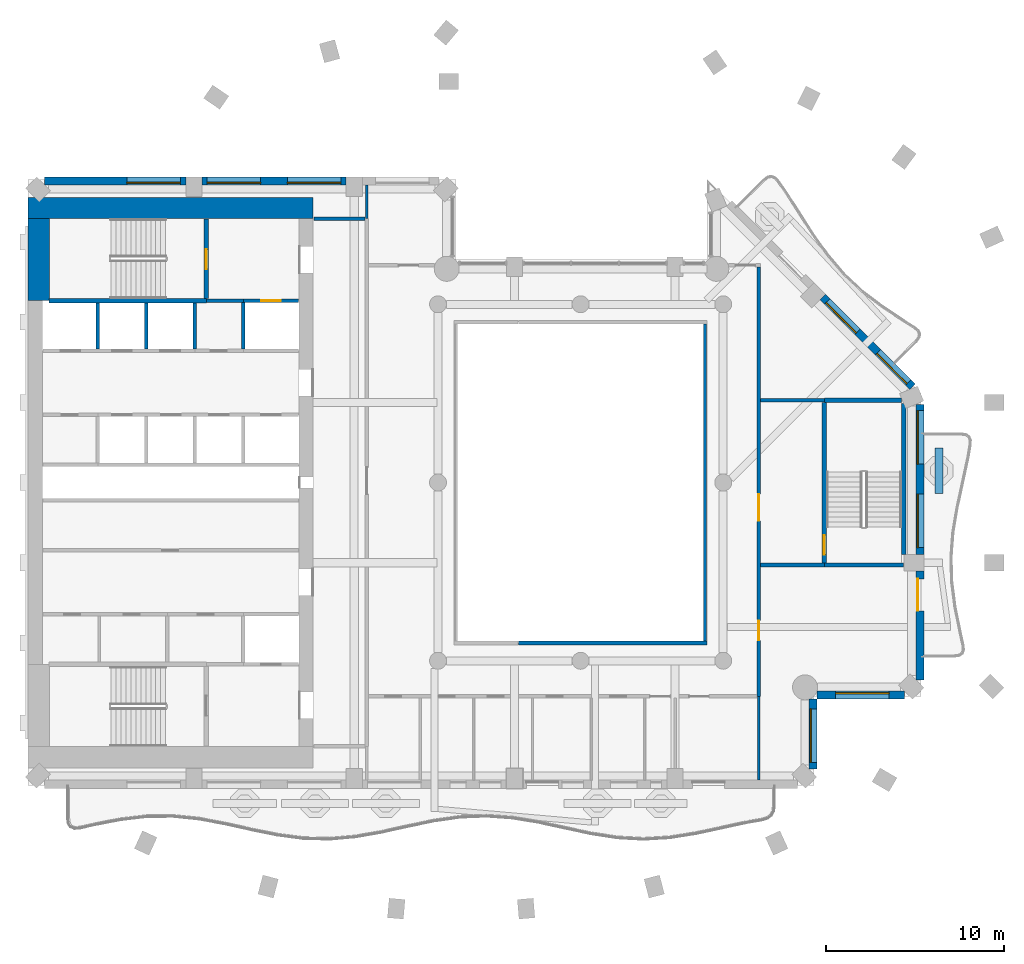
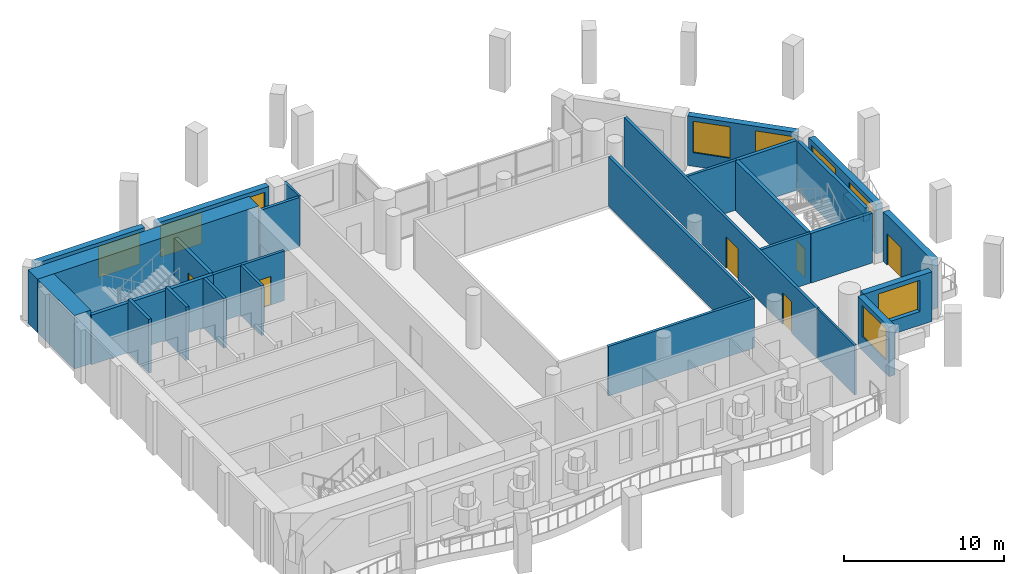
# One storey, part 6 of 15: 30 walls, 9 windows, 6 doors, 15 openings.
"""IFC4 building model written with IfcOpenShell, lengths in metres."""

import ifcopenshell
import ifcopenshell.guid

model = None  # the IFC model being written
_history = None  # IfcOwnerHistory: only IFC2X3 demands one
_inside = {}  # id of a spatial element -> (the spatial element, [elements in it])
_under = {}  # id of a project, library or spatial element -> (it, [spatial elements below it])
_declared = {}  # id of a project -> (the project, [libraries it declares])
_typed = {}  # id of a type object -> (the type object, [elements of that type])
_made_of = {}  # id of a material, layer set ... -> (it, [elements and type objects made of it])


def new_model(schema):
    """Start an empty IFC model of exactly this schema.

    Asked for "IFC4X3", IfcOpenShell would pick the latest addendum, in which some entities
    have other attributes; the version numbers below select the first issue.
    IFC2X3 requires an IfcOwnerHistory on every rooted entity: one is made here for all.
    """
    global model, _history
    if schema == "IFC4X3":
        model = ifcopenshell.file(schema_version=(4, 3, 0, 0))
    else:
        model = ifcopenshell.file(schema=schema)
    _inside.clear()
    _under.clear()
    _declared.clear()
    _typed.clear()
    _made_of.clear()
    _history = None
    if model.schema == "IFC2X3":
        org = make("IfcOrganization", Name="unknown")
        user = make(
            "IfcPersonAndOrganization",
            ThePerson=make("IfcPerson", FamilyName="unknown"),
            TheOrganization=org,
        )
        app = make(
            "IfcApplication",
            ApplicationDeveloper=org,
            Version="unknown",
            ApplicationFullName="unknown",
            ApplicationIdentifier="unknown",
        )
        _history = make(
            "IfcOwnerHistory",
            OwningUser=user,
            OwningApplication=app,
            ChangeAction="ADDED",
            CreationDate=0,
        )
    return model


def make(cls, **values):
    """One entity of the class cls with the attributes given. An attribute that is None is left unset."""
    return model.create_entity(
        cls, **{name: value for name, value in values.items() if value is not None}
    )


def rooted(cls, **values):
    """An entity with a GlobalId (a new one), such as an element, a storey or a relation."""
    return make(cls, GlobalId=ifcopenshell.guid.new(), OwnerHistory=_history, **values)


def si_unit(unit_type, name, prefix=None):
    """IfcSIUnit, for example si_unit("LENGTHUNIT", "METRE", prefix="MILLI")."""
    return make("IfcSIUnit", UnitType=unit_type, Prefix=prefix, Name=name)


def assignment(units):
    """IfcUnitAssignment: the units of a project."""
    return None if units is None else make("IfcUnitAssignment", Units=units)


def point(xyz):
    """IfcCartesianPoint."""
    return None if xyz is None else make("IfcCartesianPoint", Coordinates=xyz)


def direction(xyz):
    """IfcDirection."""
    return None if xyz is None else make("IfcDirection", DirectionRatios=xyz)


def frame(location, z_axis=None, x_axis=None):
    """IfcAxis2Placement3D, a coordinate frame: its origin and axes. An axis left out is left unset."""
    return make(
        "IfcAxis2Placement3D",
        Location=point(location),
        Axis=direction(z_axis),
        RefDirection=direction(x_axis),
    )


def frame_2d(location, x_axis=None):
    """IfcAxis2Placement2D, a coordinate frame in the plane: its origin and x axis."""
    return make(
        "IfcAxis2Placement2D", Location=point(location), RefDirection=direction(x_axis)
    )


def origin():
    """The frame at (0, 0, 0) with its axes left unset."""
    return frame((0.0, 0.0, 0.0))


def place(relative_to, where):
    """IfcLocalPlacement: puts the frame where relative to a parent placement (None: the world)."""
    return make(
        "IfcLocalPlacement", PlacementRelTo=relative_to, RelativePlacement=where
    )


def context(
    kind, dimensions, precision=None, world=None, true_north=None, identifier=None
):
    """IfcGeometricRepresentationContext, for example the 3D "Model" context."""
    return make(
        "IfcGeometricRepresentationContext",
        ContextIdentifier=identifier,
        ContextType=kind,
        CoordinateSpaceDimension=dimensions,
        Precision=precision,
        WorldCoordinateSystem=world,
        TrueNorth=true_north,
    )


def subcontext(parent, identifier, kind, view, scale=None):
    """IfcGeometricRepresentationSubContext, for example "Body" below "Model"."""
    return make(
        "IfcGeometricRepresentationSubContext",
        ContextIdentifier=identifier,
        ContextType=kind,
        ParentContext=parent,
        TargetScale=scale,
        TargetView=view,
    )


def project(units=None, contexts=None):
    """IfcProject with its units and contexts."""
    return rooted(
        "IfcProject",
        Name="project",
        RepresentationContexts=contexts,
        UnitsInContext=assignment(units),
    )


def spatial(cls, under=None, at=None, **own):
    """A site, building, storey or space (cls), placed at a placement, below another one or the project."""
    s = rooted(cls, ObjectPlacement=at, **own)
    if under is not None:
        _under.setdefault(under.id(), (under, []))[1].append(s)
    return s


def profile(cls, at=None, kind="AREA", **sizes):
    """A parametric profile (cls). Its sizes go by their IFC names, for example OverallWidth=200.0."""
    return make(cls, ProfileType=kind, Position=at, **sizes)


def rectangle(**sizes):
    """IfcRectangleProfileDef."""
    return profile("IfcRectangleProfileDef", **sizes)


def extrude(swept, where, along, depth):
    """IfcExtrudedAreaSolid: the profile swept, set in the frame where, extruded along a direction by depth."""
    return make(
        "IfcExtrudedAreaSolid",
        SweptArea=swept,
        Position=where,
        ExtrudedDirection=direction(along),
        Depth=depth,
    )


def shape(context_of_items, identifier, shape_type, items):
    """IfcShapeRepresentation: the items that make up one representation, for example the "Body"."""
    return make(
        "IfcShapeRepresentation",
        ContextOfItems=context_of_items,
        RepresentationIdentifier=identifier,
        RepresentationType=shape_type,
        Items=items,
    )


def material(Name=None, Category=None):
    """IfcMaterial."""
    return make("IfcMaterial", Name=Name, Category=Category)


def layer(
    of_material, thickness, ventilated=None, Name=None, Category=None, Priority=None
):
    """IfcMaterialLayer: one layer of a wall or slab, of a material (None: an air gap)."""
    return make(
        "IfcMaterialLayer",
        Material=of_material,
        LayerThickness=thickness,
        IsVentilated=ventilated,
        Name=Name,
        Category=Category,
        Priority=Priority,
    )


def layer_set(layers, Name=None):
    """IfcMaterialLayerSet."""
    return make("IfcMaterialLayerSet", MaterialLayers=layers, LayerSetName=Name)


def made_of(thing, what):
    """Note that an element or type object is made of a material, layer set ...; save() writes the relation."""
    if what is not None:
        _made_of.setdefault(what.id(), (what, []))[1].append(thing)
    return thing


def type_object(cls, material=None, **own):
    """A type object (cls), such as IfcWallType, which elements share."""
    return made_of(rooted(cls, **own), material)


def element(
    cls,
    number,
    at=None,
    inside=None,
    cuts=None,
    type_object=None,
    material=None,
    context=None,
    identifier="Body",
    shape_type=None,
    held_by="IfcProductDefinitionShape",
    body=None,
    shapes=None,
    **own,
):
    """One element of the class cls, such as IfcWall. Its Tag is "e" and its number.

    at: its placement. inside: the storey or other place that contains it. cuts: it is an
    opening in that element (IfcRelVoidsElement). A single representation is given by context,
    identifier, shape_type and body (its items); several are given by shapes. held_by: the class
    of the entity that holds the representations. save() writes the other relations.
    """
    e = rooted(cls, Tag="e%d" % number, ObjectPlacement=at, **own)
    if body is not None:
        shapes = [shape(context, identifier, shape_type, body)]
    if shapes is not None:
        e.Representation = make(held_by, Representations=shapes)
    if inside is not None:
        _inside.setdefault(inside.id(), (inside, []))[1].append(e)
    if cuts is not None:
        rooted(
            "IfcRelVoidsElement", RelatingBuildingElement=cuts, RelatedOpeningElement=e
        )
    if type_object is not None:
        _typed.setdefault(type_object.id(), (type_object, []))[1].append(e)
    return made_of(e, material)


def fill(opening, filler):
    """IfcRelFillsElement: the door or window that sits in an opening."""
    return rooted(
        "IfcRelFillsElement",
        RelatingOpeningElement=opening,
        RelatedBuildingElement=filler,
    )


def aggregate(whole, parts):
    """IfcRelAggregates: a whole, such as a stair, and the parts it consists of."""
    return rooted("IfcRelAggregates", RelatingObject=whole, RelatedObjects=parts)


def save(model, path):
    """Write the relations noted so far, then the file.

    IfcRelAggregates (storeys below a building ...), IfcRelContainedInSpatialStructure (elements
    in a storey), IfcRelDefinesByType, IfcRelAssociatesMaterial and IfcRelDeclares: one each for
    every whole, place, type object, material and project.
    """
    for whole, parts in _under.values():
        aggregate(whole, parts)
    for where, things in _inside.values():
        rooted(
            "IfcRelContainedInSpatialStructure",
            RelatedElements=things,
            RelatingStructure=where,
        )
    for kind, things in _typed.values():
        rooted("IfcRelDefinesByType", RelatedObjects=things, RelatingType=kind)
    for what, things in _made_of.values():
        rooted("IfcRelAssociatesMaterial", RelatedObjects=things, RelatingMaterial=what)
    for by, libraries in _declared.values():
        rooted("IfcRelDeclares", RelatingContext=by, RelatedDefinitions=libraries)
    model.write(path)


model = new_model("IFC4")

# Units and contexts
model_context = context("Model", 3, precision=1e-05, world=origin(), true_north=direction((0.0, 1.0)))
body_context = subcontext(model_context, "Body", "Model", "MODEL_VIEW")
ifc_project = project(units=[si_unit("LENGTHUNIT", "METRE"), si_unit("AREAUNIT", "SQUARE_METRE"), si_unit("VOLUMEUNIT", "CUBIC_METRE"), si_unit("PLANEANGLEUNIT", "RADIAN"), si_unit("MASSUNIT", "GRAM", prefix="KILO")], contexts=[model_context])

# Site, building, storey
site_placement = place(None, origin())
site = spatial("IfcSite", under=ifc_project, at=site_placement, CompositionType="ELEMENT")
building_placement = place(site_placement, origin())
building = spatial("IfcBuilding", under=site, at=building_placement, Name="Cypress Arch Tower", CompositionType="ELEMENT")
storey_placement = place(building_placement, frame((0.0, 0.0, 176.89990234375)))
storey = spatial("IfcBuildingStorey", under=building, at=storey_placement, Name="L38", CompositionType="ELEMENT", Elevation=176.89990234375)

# Wall
ifc_material_1 = material(Name="Concrete C40/50, waterproofed", Category="concrete")
ifc_layer_1 = layer(ifc_material_1, 0.449951171875)
ifc_layer_set_1 = layer_set([ifc_layer_1], Name="Balcony planter wall PW450")
wall_type_1 = type_object("IfcWallType", Name="Balcony planter wall PW450", PredefinedType="SOLIDWALL", material=ifc_layer_set_1)
wall_1_placement = place(storey_placement, frame((21.10009765625, -0.61669921875, 0.0), z_axis=(0.0, 0.0, 1.0), x_axis=(0.0, 1.0, 0.0)))
element("IfcWall", 1, at=wall_1_placement, inside=storey, type_object=wall_type_1, Name="Balcony planter wall L38-B04.1", PredefinedType="SOLIDWALL", context=body_context, shape_type="SweptSolid", body=[
    extrude(rectangle(XDim=2.566650390625, YDim=0.449951171875, at=frame_2d((1.283203125, 0.0))), origin(), (0.0, 0.0, 1.0), 0.60009765625),
])

# Wall, opening, window
ifc_material_2 = material(Name="Brick (red buff blend)", Category="masonry")
ifc_layer_2 = layer(ifc_material_2, 0.449951171875)
ifc_layer_set_2 = layer_set([ifc_layer_2], Name="Brick pier and spandrel wall BW450")
wall_type_2 = type_object("IfcWallType", Name="Brick pier and spandrel wall BW450", PredefinedType="SOLIDWALL", material=ifc_layer_set_2)
wall_2_placement = place(storey_placement, frame((14.02490234375, -16.063720703125, 0.0), z_axis=(0.0, 0.0, 1.0), x_axis=(0.0, 1.0, 0.0)))
wall_2 = element("IfcWall", 2, at=wall_2_placement, inside=storey, type_object=wall_type_2, Name="Brick wall L38 B02.0", PredefinedType="SOLIDWALL", context=body_context, shape_type="SweptSolid", body=[
    extrude(rectangle(XDim=3.9091796875, YDim=0.449951171875, at=frame_2d((1.95458984375, 0.0))), origin(), (0.0, 0.0, 1.0), 3.800048828125),
])
opening_1_placement = place(wall_2_placement, frame((0.363525390625, 0.0, 1.050048828125)))
opening_1 = element("IfcOpeningElement", 3, at=opening_1_placement, cuts=wall_2, Name="Opening W300O", PredefinedType="OPENING", context=body_context, shape_type="SweptSolid", body=[
    extrude(rectangle(XDim=3.0, YDim=2.39990234375, at=frame_2d((1.5, 1.199951171875))), frame((0.0, 0.23486328125, 0.0), z_axis=(0.0, -1.0, 0.0), x_axis=(1.0, 0.0, 0.0)), (0.0, 0.0, 1.0), 0.469970703125),
])
ifc_material_3 = material(Name="Anodised aluminium, bronze finish, clear low-emissivity double glazing", Category="aluminium")
window_type_1 = type_object("IfcWindowType", Name="Window Office 3000x2400", PartitioningType="SINGLE_PANEL", PredefinedType="WINDOW", material=ifc_material_3)
window_1_placement = place(opening_1_placement, origin())
window_1 = element("IfcWindow", 4, at=window_1_placement, inside=storey, type_object=window_type_1, Name="Window L38 B02.0.1", OverallHeight=2.39990234375, OverallWidth=3.0, PartitioningType="SINGLE_PANEL", PredefinedType="WINDOW", context=body_context, shape_type="SweptSolid", body=[
    extrude(rectangle(XDim=3.0, YDim=2.39990234375, at=frame_2d((1.5, 1.199951171875))), frame((0.0, 0.135009765625, 0.0), z_axis=(0.0, -1.0, 0.0), x_axis=(1.0, 0.0, 0.0)), (0.0, 0.0, 1.0), 0.06005859375),
])
fill(opening_1, window_1)

wall_3_placement = place(storey_placement, frame((14.254638671875, -11.925048828125, 0.0), z_axis=(0.0, 0.0, 1.0), x_axis=(1.0, 0.0, 0.0)))
wall_3 = element("IfcWall", 5, at=wall_3_placement, inside=storey, type_object=wall_type_2, Name="Brick wall L38 B03.0", PredefinedType="SOLIDWALL", context=body_context, shape_type="SweptSolid", body=[
    extrude(rectangle(XDim=4.908935546875, YDim=0.449951171875, at=frame_2d((2.45458984375, 0.0))), origin(), (0.0, 0.0, 1.0), 3.800048828125),
])
opening_2_placement = place(wall_3_placement, frame((1.04541015625, 0.0, 1.050048828125)))
opening_2 = element("IfcOpeningElement", 6, at=opening_2_placement, cuts=wall_3, Name="Opening W300O", PredefinedType="OPENING", context=body_context, shape_type="SweptSolid", body=[
    extrude(rectangle(XDim=3.0, YDim=2.39990234375, at=frame_2d((1.5, 1.199951171875))), frame((0.0, 0.23486328125, 0.0), z_axis=(0.0, -1.0, 0.0), x_axis=(1.0, 0.0, 0.0)), (0.0, 0.0, 1.0), 0.469970703125),
])
window_2_placement = place(opening_2_placement, origin())
window_2 = element("IfcWindow", 7, at=window_2_placement, inside=storey, type_object=window_type_1, Name="Window L38 B03.0.1", OverallHeight=2.39990234375, OverallWidth=3.0, PartitioningType="SINGLE_PANEL", PredefinedType="WINDOW", context=body_context, shape_type="SweptSolid", body=[
    extrude(rectangle(XDim=3.0, YDim=2.39990234375, at=frame_2d((1.5, 1.199951171875))), frame((0.0, 0.135009765625, 0.0), z_axis=(0.0, -1.0, 0.0), x_axis=(1.0, 0.0, 0.0)), (0.0, 0.0, 1.0), 0.06005859375),
])
fill(opening_2, window_2)

# Wall, opening, door
wall_4_placement = place(storey_placement, frame((20.02490234375, -11.063720703125, 0.0), z_axis=(0.0, 0.0, 1.0), x_axis=(0.0, 1.0, 0.0)))
wall_4 = element("IfcWall", 8, at=wall_4_placement, inside=storey, type_object=wall_type_2, Name="Brick wall L38 B04.0", PredefinedType="SOLIDWALL", context=body_context, shape_type="SweptSolid", body=[
    extrude(rectangle(XDim=6.11376953125, YDim=0.449951171875, at=frame_2d((3.056884765625, 0.0))), origin(), (0.0, 0.0, 1.0), 3.800048828125),
])
opening_3_placement = place(wall_4_placement, frame((3.863525390625, 0.0, 0.0)))
opening_3 = element("IfcOpeningElement", 9, at=opening_3_placement, cuts=wall_4, Name="Opening D-L38-B04.0.2", PredefinedType="OPENING", context=body_context, shape_type="SweptSolid", body=[
    extrude(rectangle(XDim=1.800048828125, YDim=2.39990234375, at=frame_2d((0.89990234375, 1.199951171875))), frame((0.0, 0.23486328125, 0.0), z_axis=(0.0, -1.0, 0.0), x_axis=(1.0, 0.0, 0.0)), (0.0, 0.0, 1.0), 0.469970703125),
])
ifc_material_4 = material(Name="Anodised aluminium, bronze finish, laminated low-emissivity double glazing, large-missile impact rated", Category="aluminium")
door_type_1 = type_object("IfcDoorType", Name="Balcony sliding door 1800x2400", OperationType="SLIDING_TO_LEFT", PredefinedType="DOOR", material=ifc_material_4)
door_1_placement = place(opening_3_placement, origin())
door_1 = element("IfcDoor", 10, at=door_1_placement, inside=storey, type_object=door_type_1, Name="Balcony door L38 B04.0.2", OperationType="SLIDING_TO_LEFT", OverallHeight=2.39990234375, OverallWidth=1.800048828125, PredefinedType="DOOR", context=body_context, shape_type="SweptSolid", body=[
    extrude(rectangle(XDim=1.800048828125, YDim=2.39990234375, at=frame_2d((0.89990234375, 1.199951171875))), frame((0.0, 0.1298828125, 0.0), z_axis=(0.0, -1.0, 0.0), x_axis=(1.0, 0.0, 0.0)), (0.0, 0.0, 1.0), 0.050048828125),
])
fill(opening_3, door_1)

# Wall, openings, windows
wall_5_placement = place(storey_placement, frame((20.02490234375, -4.050048828125, 0.0), z_axis=(0.0, 0.0, 1.0), x_axis=(0.0, 1.0, 0.0)))
wall_5 = element("IfcWall", 11, at=wall_5_placement, inside=storey, type_object=wall_type_2, Name="Brick wall L38 B04.1", PredefinedType="SOLIDWALL", context=body_context, shape_type="SweptSolid", body=[
    extrude(rectangle(XDim=8.438720703125, YDim=0.449951171875, at=frame_2d((4.21923828125, 0.0))), origin(), (0.0, 0.0, 1.0), 3.800048828125),
])
opening_4_placement = place(wall_5_placement, frame((0.39404296875, 0.0, 1.050048828125)))
opening_4 = element("IfcOpeningElement", 12, at=opening_4_placement, cuts=wall_5, Name="Opening W300OD", PredefinedType="OPENING", context=body_context, shape_type="SweptSolid", body=[
    extrude(rectangle(XDim=3.0, YDim=2.39990234375, at=frame_2d((1.5, 1.199951171875))), frame((0.0, 0.23486328125, 0.0), z_axis=(0.0, -1.0, 0.0), x_axis=(1.0, 0.0, 0.0)), (0.0, 0.0, 1.0), 0.469970703125),
])
opening_5_placement = place(wall_5_placement, frame((5.081787109375, 0.0, 1.050048828125)))
opening_5 = element("IfcOpeningElement", 13, at=opening_5_placement, cuts=wall_5, Name="Opening W300OD", PredefinedType="OPENING", context=body_context, shape_type="SweptSolid", body=[
    extrude(rectangle(XDim=3.0, YDim=2.39990234375, at=frame_2d((1.5, 1.199951171875))), frame((0.0, 0.23486328125, 0.0), z_axis=(0.0, -1.0, 0.0), x_axis=(1.0, 0.0, 0.0)), (0.0, 0.0, 1.0), 0.469970703125),
])
ifc_material_5 = material(Name="Anodised aluminium, bronze finish, laminated low-emissivity double glazing, large-missile impact rated", Category="aluminium")
window_type_2 = type_object("IfcWindowType", Name="Window Office 3000x2400 debris-rated", PartitioningType="SINGLE_PANEL", PredefinedType="WINDOW", material=ifc_material_5)
window_3_placement = place(opening_4_placement, origin())
window_3 = element("IfcWindow", 14, at=window_3_placement, inside=storey, type_object=window_type_2, Name="Window L38 B04.1.1", OverallHeight=2.39990234375, OverallWidth=3.0, PartitioningType="SINGLE_PANEL", PredefinedType="WINDOW", context=body_context, shape_type="SweptSolid", body=[
    extrude(rectangle(XDim=3.0, YDim=2.39990234375, at=frame_2d((1.5, 1.199951171875))), frame((0.0, 0.135009765625, 0.0), z_axis=(0.0, -1.0, 0.0), x_axis=(1.0, 0.0, 0.0)), (0.0, 0.0, 1.0), 0.06005859375),
])
fill(opening_4, window_3)
window_4_placement = place(opening_5_placement, origin())
window_4 = element("IfcWindow", 15, at=window_4_placement, inside=storey, type_object=window_type_2, Name="Window L38 B04.1.2", OverallHeight=2.39990234375, OverallWidth=3.0, PartitioningType="SINGLE_PANEL", PredefinedType="WINDOW", context=body_context, shape_type="SweptSolid", body=[
    extrude(rectangle(XDim=3.0, YDim=2.39990234375, at=frame_2d((1.5, 1.199951171875))), frame((0.0, 0.135009765625, 0.0), z_axis=(0.0, -1.0, 0.0), x_axis=(1.0, 0.0, 0.0)), (0.0, 0.0, 1.0), 0.06005859375),
])
fill(opening_5, window_4)

wall_6_placement = place(storey_placement, frame((19.61474609375, 5.379150390625, 0.0), z_axis=(0.0, 0.0, 1.0), x_axis=(-0.707089646058, 0.7071239159, 0.0)))
wall_6 = element("IfcWall", 16, at=wall_6_placement, inside=storey, type_object=wall_type_2, Name="Brick wall L38 B05.0", PredefinedType="SOLIDWALL", context=body_context, shape_type="SweptSolid", body=[
    extrude(rectangle(XDim=7.1240234375, YDim=0.449951171875, at=frame_2d((3.56201171875, 0.0))), origin(), (0.0, 0.0, 1.0), 3.800048828125),
])
opening_6_placement = place(wall_6_placement, frame((0.328125, 0.0, 1.050048828125)))
opening_6 = element("IfcOpeningElement", 17, at=opening_6_placement, cuts=wall_6, Name="Opening W240OD", PredefinedType="OPENING", context=body_context, shape_type="SweptSolid", body=[
    extrude(rectangle(XDim=2.39990234375, YDim=2.39990234375, at=frame_2d((1.199951171875, 1.199951171875))), frame((0.0, 0.23486328125, 0.0), z_axis=(0.0, -1.0, 0.0), x_axis=(1.0, 0.0, 0.0)), (0.0, 0.0, 1.0), 0.469970703125),
])
opening_7_placement = place(wall_6_placement, frame((4.358642578125, 0.0, 1.050048828125)))
opening_7 = element("IfcOpeningElement", 18, at=opening_7_placement, cuts=wall_6, Name="Opening W240OD", PredefinedType="OPENING", context=body_context, shape_type="SweptSolid", body=[
    extrude(rectangle(XDim=2.39990234375, YDim=2.39990234375, at=frame_2d((1.199951171875, 1.199951171875))), frame((0.0, 0.23486328125, 0.0), z_axis=(0.0, -1.0, 0.0), x_axis=(1.0, 0.0, 0.0)), (0.0, 0.0, 1.0), 0.469970703125),
])
ifc_material_6 = material(Name="Anodised aluminium, bronze finish, laminated low-emissivity double glazing, large-missile impact rated", Category="aluminium")
window_type_3 = type_object("IfcWindowType", Name="Window Office 2400x2400 debris-rated", PartitioningType="SINGLE_PANEL", PredefinedType="WINDOW", material=ifc_material_6)
window_5_placement = place(opening_6_placement, origin())
window_5 = element("IfcWindow", 19, at=window_5_placement, inside=storey, type_object=window_type_3, Name="Window L38 B05.0.1", OverallHeight=2.39990234375, OverallWidth=2.39990234375, PartitioningType="SINGLE_PANEL", PredefinedType="WINDOW", context=body_context, shape_type="SweptSolid", body=[
    extrude(rectangle(XDim=2.39990234375, YDim=2.39990234375, at=frame_2d((1.199951171875, 1.199951171875))), frame((0.0, 0.135009765625, 0.0), z_axis=(0.0, -1.0, 0.0), x_axis=(1.0, 0.0, 0.0)), (0.0, 0.0, 1.0), 0.06005859375),
])
fill(opening_6, window_5)
window_6_placement = place(opening_7_placement, origin())
window_6 = element("IfcWindow", 20, at=window_6_placement, inside=storey, type_object=window_type_3, Name="Window L38 B05.0.2", OverallHeight=2.39990234375, OverallWidth=2.39990234375, PartitioningType="SINGLE_PANEL", PredefinedType="WINDOW", context=body_context, shape_type="SweptSolid", body=[
    extrude(rectangle(XDim=2.39990234375, YDim=2.39990234375, at=frame_2d((1.199951171875, 1.199951171875))), frame((0.0, 0.135009765625, 0.0), z_axis=(0.0, -1.0, 0.0), x_axis=(1.0, 0.0, 0.0)), (0.0, 0.0, 1.0), 0.06005859375),
])
fill(opening_7, window_6)

wall_7_placement = place(storey_placement, frame((-12.14990234375, 16.925048828125, 0.0), z_axis=(0.0, 0.0, 1.0), x_axis=(-1.0, 0.0, 0.0)))
wall_7 = element("IfcWall", 21, at=wall_7_placement, inside=storey, type_object=wall_type_2, Name="Brick wall L38 B09.1", PredefinedType="SOLIDWALL", context=body_context, shape_type="SweptSolid", body=[
    extrude(rectangle(XDim=8.10009765625, YDim=0.449951171875, at=frame_2d((4.050048828125, 0.0))), origin(), (0.0, 0.0, 1.0), 3.800048828125),
])
opening_8_placement = place(wall_7_placement, frame((0.300048828125, 0.0, 1.050048828125)))
opening_8 = element("IfcOpeningElement", 22, at=opening_8_placement, cuts=wall_7, Name="Opening W300O", PredefinedType="OPENING", context=body_context, shape_type="SweptSolid", body=[
    extrude(rectangle(XDim=3.0, YDim=2.39990234375, at=frame_2d((1.5, 1.199951171875))), frame((0.0, 0.23486328125, 0.0), z_axis=(0.0, -1.0, 0.0), x_axis=(1.0, 0.0, 0.0)), (0.0, 0.0, 1.0), 0.469970703125),
])
opening_9_placement = place(wall_7_placement, frame((4.800048828125, 0.0, 1.050048828125)))
opening_9 = element("IfcOpeningElement", 23, at=opening_9_placement, cuts=wall_7, Name="Opening W300O", PredefinedType="OPENING", context=body_context, shape_type="SweptSolid", body=[
    extrude(rectangle(XDim=3.0, YDim=2.39990234375, at=frame_2d((1.5, 1.199951171875))), frame((0.0, 0.23486328125, 0.0), z_axis=(0.0, -1.0, 0.0), x_axis=(1.0, 0.0, 0.0)), (0.0, 0.0, 1.0), 0.469970703125),
])
window_7_placement = place(opening_8_placement, origin())
window_7 = element("IfcWindow", 24, at=window_7_placement, inside=storey, type_object=window_type_1, Name="Window L38 B09.1.1", OverallHeight=2.39990234375, OverallWidth=3.0, PartitioningType="SINGLE_PANEL", PredefinedType="WINDOW", context=body_context, shape_type="SweptSolid", body=[
    extrude(rectangle(XDim=3.0, YDim=2.39990234375, at=frame_2d((1.5, 1.199951171875))), frame((0.0, 0.135009765625, 0.0), z_axis=(0.0, -1.0, 0.0), x_axis=(1.0, 0.0, 0.0)), (0.0, 0.0, 1.0), 0.06005859375),
])
fill(opening_8, window_7)
window_8_placement = place(opening_9_placement, origin())
window_8 = element("IfcWindow", 25, at=window_8_placement, inside=storey, type_object=window_type_1, Name="Window L38 B09.1.2", OverallHeight=2.39990234375, OverallWidth=3.0, PartitioningType="SINGLE_PANEL", PredefinedType="WINDOW", context=body_context, shape_type="SweptSolid", body=[
    extrude(rectangle(XDim=3.0, YDim=2.39990234375, at=frame_2d((1.5, 1.199951171875))), frame((0.0, 0.135009765625, 0.0), z_axis=(0.0, -1.0, 0.0), x_axis=(1.0, 0.0, 0.0)), (0.0, 0.0, 1.0), 0.06005859375),
])
fill(opening_9, window_8)

# Wall, opening, window
wall_8_placement = place(storey_placement, frame((-21.14990234375, 16.925048828125, 0.0), z_axis=(0.0, 0.0, 1.0), x_axis=(-1.0, 0.0, 0.0)))
wall_8 = element("IfcWall", 26, at=wall_8_placement, inside=storey, type_object=wall_type_2, Name="Brick wall L38 B09.2", PredefinedType="SOLIDWALL", context=body_context, shape_type="SweptSolid", body=[
    extrude(rectangle(XDim=7.913818359375, YDim=0.449951171875, at=frame_2d((3.95703125, 0.0))), origin(), (0.0, 0.0, 1.0), 3.800048828125),
])
opening_10_placement = place(wall_8_placement, frame((0.300048828125, 0.0, 1.050048828125)))
opening_10 = element("IfcOpeningElement", 27, at=opening_10_placement, cuts=wall_8, Name="Opening W300O", PredefinedType="OPENING", context=body_context, shape_type="SweptSolid", body=[
    extrude(rectangle(XDim=3.0, YDim=2.39990234375, at=frame_2d((1.5, 1.199951171875))), frame((0.0, 0.23486328125, 0.0), z_axis=(0.0, -1.0, 0.0), x_axis=(1.0, 0.0, 0.0)), (0.0, 0.0, 1.0), 0.469970703125),
])
window_9_placement = place(opening_10_placement, origin())
window_9 = element("IfcWindow", 28, at=window_9_placement, inside=storey, type_object=window_type_1, Name="Window L38 B09.2.1", OverallHeight=2.39990234375, OverallWidth=3.0, PartitioningType="SINGLE_PANEL", PredefinedType="WINDOW", context=body_context, shape_type="SweptSolid", body=[
    extrude(rectangle(XDim=3.0, YDim=2.39990234375, at=frame_2d((1.5, 1.199951171875))), frame((0.0, 0.135009765625, 0.0), z_axis=(0.0, -1.0, 0.0), x_axis=(1.0, 0.0, 0.0)), (0.0, 0.0, 1.0), 0.06005859375),
])
fill(opening_10, window_9)

# Walls
ifc_material_7 = material(Name="Concrete C70/85", Category="concrete")
ifc_layer_3 = layer(ifc_material_7, 1.199951171875)
ifc_layer_set_3 = layer_set([ifc_layer_3], Name="Core wall CW1200 C70/85")
wall_type_3 = type_object("IfcWallType", Name="Core wall CW1200 C70/85", PredefinedType="SHEAR", material=ifc_layer_set_3)
wall_9_placement = place(storey_placement, frame((-30.0, 15.39990234375, 0.0), z_axis=(0.0, 0.0, 1.0), x_axis=(1.0, 0.0, 0.0)))
element("IfcWall", 29, at=wall_9_placement, inside=storey, type_object=wall_type_3, Name="Core wall", PredefinedType="SHEAR", context=body_context, shape_type="SweptSolid", body=[
    extrude(rectangle(XDim=16.0, YDim=1.199951171875, at=frame_2d((8.0, 0.0))), origin(), (0.0, 0.0, 1.0), 4.10009765625),
])
wall_10_placement = place(storey_placement, frame((-29.39990234375, 10.199951171875, 0.0), z_axis=(0.0, 0.0, 1.0), x_axis=(0.0, 1.0, 0.0)))
element("IfcWall", 30, at=wall_10_placement, inside=storey, type_object=wall_type_3, Name="Core wall", PredefinedType="SHEAR", context=body_context, shape_type="SweptSolid", body=[
    extrude(rectangle(XDim=4.60009765625, YDim=1.199951171875, at=frame_2d((2.300048828125, 0.0))), origin(), (0.0, 0.0, 1.0), 4.10009765625),
])
ifc_material_8 = material(Name="Concrete blockwork, plastered, rated", Category="masonry")
ifc_layer_4 = layer(ifc_material_8, 0.199951171875)
ifc_layer_set_4 = layer_set([ifc_layer_4], Name="Corridor wall FW200")
wall_type_4 = type_object("IfcWallType", Name="Corridor wall FW200", PredefinedType="PARTITIONING", material=ifc_layer_set_4)
wall_11_placement = place(storey_placement, frame((-13.969970703125, 14.800048828125, 0.0), z_axis=(0.0, 0.0, 1.0), x_axis=(1.0, 0.0, 0.0)))
element("IfcWall", 31, at=wall_11_placement, inside=storey, type_object=wall_type_4, Name="Corridor wall", PredefinedType="PARTITIONING", context=body_context, shape_type="SweptSolid", body=[
    extrude(rectangle(XDim=2.869873046875, YDim=0.199951171875, at=frame_2d((1.43505859375, 0.0))), origin(), (0.0, 0.0, 1.0), 3.800048828125),
])
wall_12_placement = place(storey_placement, frame((-2.47998046875, -9.0, 0.0), z_axis=(0.0, 0.0, 1.0), x_axis=(1.0, 0.0, 0.0)))
element("IfcWall", 32, at=wall_12_placement, inside=storey, type_object=wall_type_4, Name="Corridor wall", PredefinedType="PARTITIONING", context=body_context, shape_type="SweptSolid", body=[
    extrude(rectangle(XDim=10.580078125, YDim=0.199951171875, at=frame_2d((5.2900390625, 0.0))), origin(), (0.0, 0.0, 1.0), 3.800048828125),
])
wall_13_placement = place(storey_placement, frame((8.0, -8.89990234375, 0.0), z_axis=(0.0, 0.0, 1.0), x_axis=(0.0, 1.0, 0.0)))
element("IfcWall", 33, at=wall_13_placement, inside=storey, type_object=wall_type_4, Name="Corridor wall", PredefinedType="PARTITIONING", context=body_context, shape_type="SweptSolid", body=[
    extrude(rectangle(XDim=17.7998046875, YDim=0.199951171875, at=frame_2d((8.89990234375, 0.0))), origin(), (0.0, 0.0, 1.0), 3.800048828125),
])

# Wall, openings, doors
wall_14_placement = place(storey_placement, frame((11.0, -12.0, 0.0), z_axis=(0.0, 0.0, 1.0), x_axis=(0.0, 1.0, 0.0)))
wall_14 = element("IfcWall", 34, at=wall_14_placement, inside=storey, type_object=wall_type_4, Name="Corridor wall", PredefinedType="PARTITIONING", context=body_context, shape_type="SweptSolid", body=[
    extrude(rectangle(XDim=24.10009765625, YDim=0.199951171875, at=frame_2d((12.050048828125, 0.0))), origin(), (0.0, 0.0, 1.0), 3.800048828125),
])
opening_11_placement = place(wall_14_placement, frame((9.85009765625, 0.0, 0.0)))
opening_11 = element("IfcOpeningElement", 35, at=opening_11_placement, cuts=wall_14, Name="Opening D07", PredefinedType="OPENING", context=body_context, shape_type="SweptSolid", body=[
    extrude(rectangle(XDim=1.5, YDim=2.39990234375, at=frame_2d((0.75, 1.199951171875))), frame((0.0, 0.10986328125, 0.0), z_axis=(0.0, -1.0, 0.0), x_axis=(1.0, 0.0, 0.0)), (0.0, 0.0, 1.0), 0.219970703125),
])
opening_12_placement = place(wall_14_placement, frame((3.14990234375, 0.0, 0.0)))
opening_12 = element("IfcOpeningElement", 36, at=opening_12_placement, cuts=wall_14, Name="Opening D01", PredefinedType="OPENING", context=body_context, shape_type="SweptSolid", body=[
    extrude(rectangle(XDim=1.10009765625, YDim=2.39990234375, at=frame_2d((0.550048828125, 1.199951171875))), frame((0.0, 0.10986328125, 0.0), z_axis=(0.0, -1.0, 0.0), x_axis=(1.0, 0.0, 0.0)), (0.0, 0.0, 1.0), 0.219970703125),
])
ifc_material_9 = material(Name="Steel framed glazed door, fire resisting", Category="steel")
door_type_2 = type_object("IfcDoorType", Name="Lobby door D07 1500x2400", OperationType="DOUBLE_DOOR_SINGLE_SWING", PredefinedType="DOOR", material=ifc_material_9)
door_2_placement = place(opening_11_placement, origin())
door_2 = element("IfcDoor", 37, at=door_2_placement, inside=storey, type_object=door_type_2, Name="Lobby door", OperationType="DOUBLE_DOOR_SINGLE_SWING", OverallHeight=2.39990234375, OverallWidth=1.5, PredefinedType="DOOR", context=body_context, shape_type="SweptSolid", body=[
    extrude(rectangle(XDim=1.5, YDim=2.39990234375, at=frame_2d((0.75, 1.199951171875))), frame((0.0, 0.02490234375, 0.0), z_axis=(0.0, -1.0, 0.0), x_axis=(1.0, 0.0, 0.0)), (0.0, 0.0, 1.0), 0.050048828125),
])
fill(opening_11, door_2)
ifc_material_10 = material(Name="Timber flush door, fire resisting, self-closing", Category="wood")
door_type_3 = type_object("IfcDoorType", Name="Unit entrance door D01 1100x2400", OperationType="SINGLE_SWING_LEFT", PredefinedType="DOOR", material=ifc_material_10)
door_3_placement = place(opening_12_placement, origin())
door_3 = element("IfcDoor", 38, at=door_3_placement, inside=storey, type_object=door_type_3, Name="Unit entrance door", OperationType="SINGLE_SWING_RIGHT", OverallHeight=2.39990234375, OverallWidth=1.10009765625, PredefinedType="DOOR", context=body_context, shape_type="SweptSolid", body=[
    extrude(rectangle(XDim=1.10009765625, YDim=2.39990234375, at=frame_2d((0.550048828125, 1.199951171875))), frame((0.0, 0.02490234375, 0.0), z_axis=(0.0, -1.0, 0.0), x_axis=(1.0, 0.0, 0.0)), (0.0, 0.0, 1.0), 0.050048828125),
])
fill(opening_12, door_3)

# Walls
for number, where, z_axis, x_axis, name in (
    (39, (11.10009765625, -4.625, 0.0), (0.0, 0.0, 1.0), (1.0, 0.0, 0.0), "Corridor wall"),
    (40, (11.10009765625, 4.625, 0.0), (0.0, 0.0, 1.0), (1.0, 0.0, 0.0), "Corridor wall"),
):
    element("IfcWall", number, at=place(storey_placement, frame(where, z_axis=z_axis, x_axis=x_axis)), inside=storey, type_object=wall_type_4, Name=name, PredefinedType="PARTITIONING", context=body_context, shape_type="SweptSolid", body=[
        extrude(rectangle(XDim=3.574951171875, YDim=0.199951171875, at=frame_2d((1.78759765625, 0.0))), origin(), (0.0, 0.0, 1.0), 3.800048828125),
    ])
ifc_material_11 = material(Name="Blockwork, plastered both sides", Category="masonry")
ifc_layer_5 = layer(ifc_material_11, 0.14990234375)
ifc_layer_set_5 = layer_set([ifc_layer_5], Name="Partition PW150")
wall_type_5 = type_object("IfcWallType", Name="Partition PW150", PredefinedType="PARTITIONING", material=ifc_layer_set_5)
wall_15_placement = place(storey_placement, frame((-11.0, 14.820068359375, 0.0), z_axis=(0.0, 0.0, 1.0), x_axis=(0.0, 1.0, 0.0)))
element("IfcWall", 41, at=wall_15_placement, inside=storey, type_object=wall_type_5, Name="Partition", PredefinedType="PARTITIONING", context=body_context, shape_type="SweptSolid", body=[
    extrude(rectangle(XDim=1.8798828125, YDim=0.14990234375, at=frame_2d((0.93994140625, 0.0))), origin(), (0.0, 0.0, 1.0), 3.800048828125),
])
wall_16_placement = place(storey_placement, frame((11.0, -16.699951171875, 0.0), z_axis=(0.0, 0.0, 1.0), x_axis=(0.0, 1.0, 0.0)))
element("IfcWall", 42, at=wall_16_placement, inside=storey, type_object=wall_type_5, Name="Partition", PredefinedType="PARTITIONING", context=body_context, shape_type="SweptSolid", body=[
    extrude(rectangle(XDim=4.699951171875, YDim=0.14990234375, at=frame_2d((2.35009765625, 0.0))), origin(), (0.0, 0.0, 1.0), 3.800048828125),
])
ifc_material_12 = material(Name="Reinforced blockwork, plastered, rated", Category="masonry")
ifc_layer_6 = layer(ifc_material_12, 0.199951171875)
ifc_layer_set_6 = layer_set([ifc_layer_6], Name="Plant and riser wall PL200")
wall_type_6 = type_object("IfcWallType", Name="Plant and riser wall PL200", PredefinedType="PARTITIONING", material=ifc_layer_set_6)
wall_17_placement = place(storey_placement, frame((-20.0, 10.199951171875, 0.0), z_axis=(0.0, 0.0, 1.0), x_axis=(1.0, 0.0, 0.0)))
element("IfcWall", 43, at=wall_17_placement, inside=storey, type_object=wall_type_6, Name="Plant and riser wall", PredefinedType="PARTITIONING", context=body_context, shape_type="SweptSolid", body=[
    extrude(rectangle(XDim=2.080078125, YDim=0.199951171875, at=frame_2d((1.0400390625, 0.0))), origin(), (0.0, 0.0, 1.0), 3.800048828125),
])
ifc_material_13 = material(Name="Concrete C50/60", Category="concrete")
ifc_layer_7 = layer(ifc_material_13, 0.199951171875)
ifc_layer_set_7 = layer_set([ifc_layer_7], Name="Shaft wall SH200")
wall_type_7 = type_object("IfcWallType", Name="Shaft wall SH200", PredefinedType="SHEAR", material=ifc_layer_set_7)
for number, where, z_axis, x_axis, name in (
    (44, (-26.080078125, 7.5, 0.0), (0.0, 0.0, 1.0), (0.0, 1.0, 0.0), "Shaft wall"),
    (45, (-23.360107421875, 7.5, 0.0), (0.0, 0.0, 1.0), (0.0, 1.0, 0.0), "Shaft wall"),
):
    element("IfcWall", number, at=place(storey_placement, frame(where, z_axis=z_axis, x_axis=x_axis)), inside=storey, type_object=wall_type_7, Name=name, PredefinedType="SHEAR", context=body_context, shape_type="SweptSolid", body=[
        extrude(rectangle(XDim=2.574951171875, YDim=0.199951171875, at=frame_2d((1.28759765625, 0.0))), origin(), (0.0, 0.0, 1.0), 4.10009765625),
    ])
wall_18_placement = place(storey_placement, frame((-20.639892578125, 7.5, 0.0), z_axis=(0.0, 0.0, 1.0), x_axis=(0.0, 1.0, 0.0)))
element("IfcWall", 46, at=wall_18_placement, inside=storey, type_object=wall_type_7, Name="Shaft wall", PredefinedType="SHEAR", context=body_context, shape_type="SweptSolid", body=[
    extrude(rectangle(XDim=2.574951171875, YDim=0.199951171875, at=frame_2d((1.28759765625, 0.0))), origin(), (0.0, 0.0, 1.0), 3.800048828125),
])
wall_19_placement = place(storey_placement, frame((-17.919921875, 7.5, 0.0), z_axis=(0.0, 0.0, 1.0), x_axis=(0.0, 1.0, 0.0)))
element("IfcWall", 47, at=wall_19_placement, inside=storey, type_object=wall_type_7, Name="Shaft wall", PredefinedType="SHEAR", context=body_context, shape_type="SweptSolid", body=[
    extrude(rectangle(XDim=2.60009765625, YDim=0.199951171875, at=frame_2d((1.300048828125, 0.0))), origin(), (0.0, 0.0, 1.0), 3.800048828125),
])

# Wall, opening, door
wall_20_placement = place(storey_placement, frame((-17.919921875, 10.199951171875, 0.0), z_axis=(0.0, 0.0, 1.0), x_axis=(1.0, 0.0, 0.0)))
wall_20 = element("IfcWall", 48, at=wall_20_placement, inside=storey, type_object=wall_type_7, Name="Shaft wall", PredefinedType="SHEAR", context=body_context, shape_type="SweptSolid", body=[
    extrude(rectangle(XDim=3.08984375, YDim=0.199951171875, at=frame_2d((1.544921875, 0.0))), origin(), (0.0, 0.0, 1.0), 3.800048828125),
])
opening_13_placement = place(wall_20_placement, frame((1.0, 0.0, 0.0)))
opening_13 = element("IfcOpeningElement", 49, at=opening_13_placement, cuts=wall_20, Name="Opening LD-FL2", PredefinedType="OPENING", context=body_context, shape_type="SweptSolid", body=[
    extrude(rectangle(XDim=1.10009765625, YDim=2.199951171875, at=frame_2d((0.550048828125, 1.10009765625))), frame((0.0, 0.10986328125, 0.0), z_axis=(0.0, -1.0, 0.0), x_axis=(1.0, 0.0, 0.0)), (0.0, 0.0, 1.0), 0.219970703125),
])
ifc_material_14 = material(Name="Stainless steel centre-opening landing door, rated", Category="steel")
door_type_4 = type_object("IfcDoorType", Name="Lift landing door LD 1100x2200", OperationType="DOUBLE_DOOR_SLIDING", PredefinedType="DOOR", material=ifc_material_14)
door_4_placement = place(opening_13_placement, origin())
door_4 = element("IfcDoor", 50, at=door_4_placement, inside=storey, type_object=door_type_4, Name="Lift landing doors FL2", OperationType="DOUBLE_DOOR_SLIDING", OverallHeight=2.199951171875, OverallWidth=1.10009765625, PredefinedType="DOOR", context=body_context, shape_type="SweptSolid", body=[
    extrude(rectangle(XDim=1.10009765625, YDim=2.199951171875, at=frame_2d((0.550048828125, 1.10009765625))), frame((0.0, 0.02490234375, 0.0), z_axis=(0.0, -1.0, 0.0), x_axis=(1.0, 0.0, 0.0)), (0.0, 0.0, 1.0), 0.050048828125),
])
fill(opening_13, door_4)

# Wall
ifc_material_15 = material(Name="Concrete C50/60", Category="concrete")
ifc_layer_8 = layer(ifc_material_15, 0.25)
ifc_layer_set_8 = layer_set([ifc_layer_8], Name="Stair enclosure wall SW250")
wall_type_8 = type_object("IfcWallType", Name="Stair enclosure wall SW250", PredefinedType="SHEAR", material=ifc_layer_set_8)
wall_21_placement = place(storey_placement, frame((-28.81005859375, 10.199951171875, 0.0), z_axis=(0.0, 0.0, 1.0), x_axis=(1.0, 0.0, 0.0)))
element("IfcWall", 51, at=wall_21_placement, inside=storey, type_object=wall_type_8, Name="Stair enclosure wall", PredefinedType="SHEAR", context=body_context, shape_type="SweptSolid", body=[
    extrude(rectangle(XDim=8.81005859375, YDim=0.25, at=frame_2d((4.405029296875, 0.0))), origin(), (0.0, 0.0, 1.0), 3.800048828125),
])

# Wall, opening, door
wall_22_placement = place(storey_placement, frame((-20.0, 10.324951171875, 0.0), z_axis=(0.0, 0.0, 1.0), x_axis=(0.0, 1.0, 0.0)))
wall_22 = element("IfcWall", 52, at=wall_22_placement, inside=storey, type_object=wall_type_8, Name="Stair enclosure wall", PredefinedType="SHEAR", context=body_context, shape_type="SweptSolid", body=[
    extrude(rectangle(XDim=4.445068359375, YDim=0.25, at=frame_2d((2.22265625, 0.0))), origin(), (0.0, 0.0, 1.0), 3.800048828125),
])
opening_14_placement = place(wall_22_placement, frame((1.64990234375, 0.0, 0.0)))
opening_14 = element("IfcOpeningElement", 53, at=opening_14_placement, cuts=wall_22, Name="Opening D06", PredefinedType="OPENING", context=body_context, shape_type="SweptSolid", body=[
    extrude(rectangle(XDim=1.10009765625, YDim=2.199951171875, at=frame_2d((0.550048828125, 1.10009765625))), frame((0.0, 0.135009765625, 0.0), z_axis=(0.0, -1.0, 0.0), x_axis=(1.0, 0.0, 0.0)), (0.0, 0.0, 1.0), 0.27001953125),
])
ifc_material_16 = material(Name="Steel door, fire resisting, panic bar", Category="steel")
door_type_5 = type_object("IfcDoorType", Name="Stair door D06 1100x2200", OperationType="SINGLE_SWING_LEFT", PredefinedType="DOOR", material=ifc_material_16)
door_5_placement = place(opening_14_placement, origin())
door_5 = element("IfcDoor", 54, at=door_5_placement, inside=storey, type_object=door_type_5, Name="Stair door", OperationType="SINGLE_SWING_LEFT", OverallHeight=2.199951171875, OverallWidth=1.10009765625, PredefinedType="DOOR", context=body_context, shape_type="SweptSolid", body=[
    extrude(rectangle(XDim=1.10009765625, YDim=2.199951171875, at=frame_2d((0.550048828125, 1.10009765625))), frame((0.0, 0.02490234375, 0.0), z_axis=(0.0, -1.0, 0.0), x_axis=(1.0, 0.0, 0.0)), (0.0, 0.0, 1.0), 0.050048828125),
])
fill(opening_14, door_5)

wall_23_placement = place(storey_placement, frame((14.675048828125, -4.5, 0.0), z_axis=(0.0, 0.0, 1.0), x_axis=(0.0, 1.0, 0.0)))
wall_23 = element("IfcWall", 55, at=wall_23_placement, inside=storey, type_object=wall_type_8, Name="Stair enclosure wall", PredefinedType="SHEAR", context=body_context, shape_type="SweptSolid", body=[
    extrude(rectangle(XDim=9.0, YDim=0.25, at=frame_2d((4.5, 0.0))), origin(), (0.0, 0.0, 1.0), 3.800048828125),
])
opening_15_placement = place(wall_23_placement, frame((0.449951171875, 0.0, 0.0)))
opening_15 = element("IfcOpeningElement", 56, at=opening_15_placement, cuts=wall_23, Name="Opening D06", PredefinedType="OPENING", context=body_context, shape_type="SweptSolid", body=[
    extrude(rectangle(XDim=1.10009765625, YDim=2.199951171875, at=frame_2d((0.550048828125, 1.10009765625))), frame((0.0, 0.135009765625, 0.0), z_axis=(0.0, -1.0, 0.0), x_axis=(1.0, 0.0, 0.0)), (0.0, 0.0, 1.0), 0.27001953125),
])
door_6_placement = place(opening_15_placement, origin())
door_6 = element("IfcDoor", 57, at=door_6_placement, inside=storey, type_object=door_type_5, Name="Stair door", OperationType="SINGLE_SWING_RIGHT", OverallHeight=2.199951171875, OverallWidth=1.10009765625, PredefinedType="DOOR", context=body_context, shape_type="SweptSolid", body=[
    extrude(rectangle(XDim=1.10009765625, YDim=2.199951171875, at=frame_2d((0.550048828125, 1.10009765625))), frame((0.0, 0.02490234375, 0.0), z_axis=(0.0, -1.0, 0.0), x_axis=(1.0, 0.0, 0.0)), (0.0, 0.0, 1.0), 0.050048828125),
])
fill(opening_15, door_6)

# Walls
wall_24_placement = place(storey_placement, frame((14.675048828125, -4.625, 0.0), z_axis=(0.0, 0.0, 1.0), x_axis=(1.0, 0.0, 0.0)))
element("IfcWall", 58, at=wall_24_placement, inside=storey, type_object=wall_type_8, Name="Stair enclosure wall", PredefinedType="SHEAR", context=body_context, shape_type="SweptSolid", body=[
    extrude(rectangle(XDim=4.449951171875, YDim=0.25, at=frame_2d((2.22509765625, 0.0))), origin(), (0.0, 0.0, 1.0), 3.800048828125),
])
wall_25_placement = place(storey_placement, frame((14.675048828125, 4.625, 0.0), z_axis=(0.0, 0.0, 1.0), x_axis=(1.0, 0.0, 0.0)))
element("IfcWall", 59, at=wall_25_placement, inside=storey, type_object=wall_type_8, Name="Stair enclosure wall", PredefinedType="SHEAR", context=body_context, shape_type="SweptSolid", body=[
    extrude(rectangle(XDim=4.32373046875, YDim=0.25, at=frame_2d((2.161865234375, 0.0))), origin(), (0.0, 0.0, 1.0), 3.800048828125),
])
wall_26_placement = place(storey_placement, frame((19.125, -4.050048828125, 0.0), z_axis=(0.0, 0.0, 1.0), x_axis=(0.0, 1.0, 0.0)))
element("IfcWall", 60, at=wall_26_placement, inside=storey, type_object=wall_type_8, Name="Stair enclosure wall", PredefinedType="SHEAR", context=body_context, shape_type="SweptSolid", body=[
    extrude(rectangle(XDim=8.4765625, YDim=0.25, at=frame_2d((4.23828125, 0.0))), origin(), (0.0, 0.0, 1.0), 3.800048828125),
])

save(model, "model.ifc")
